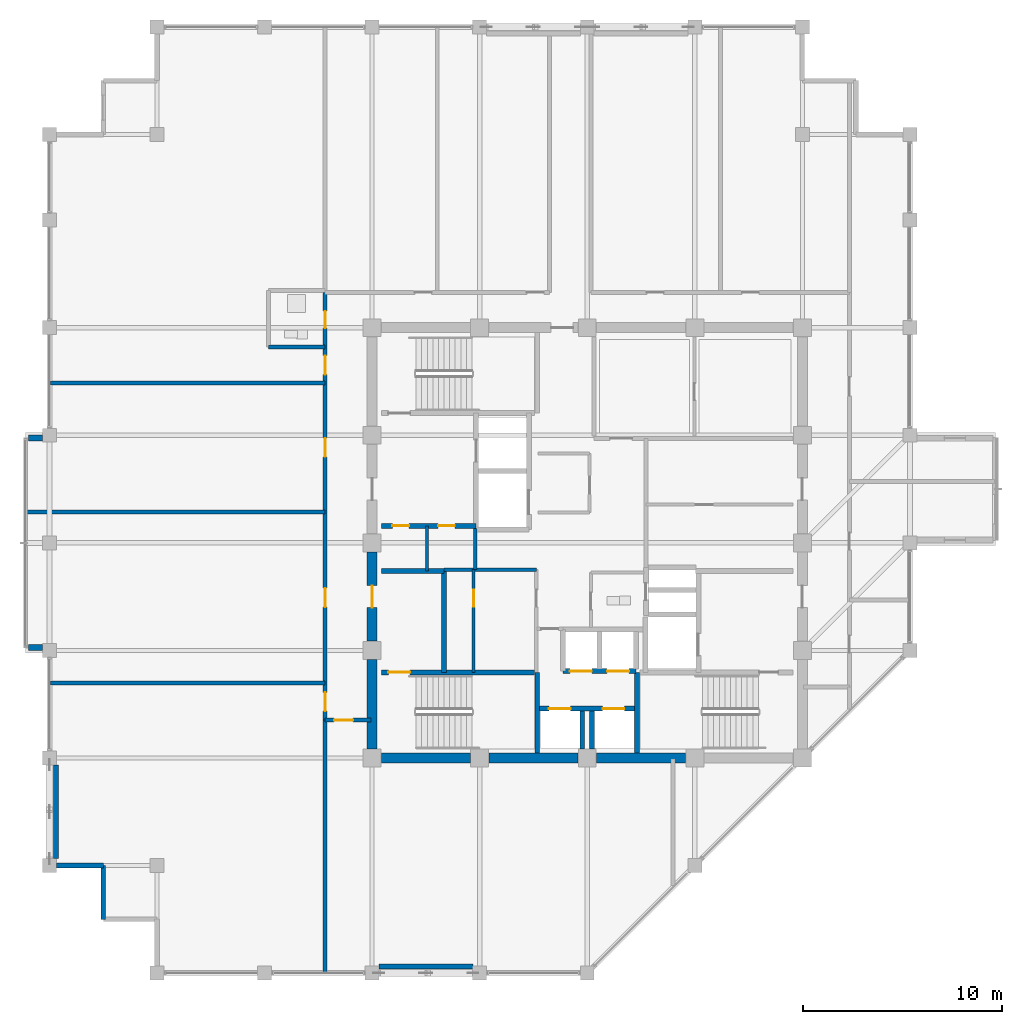
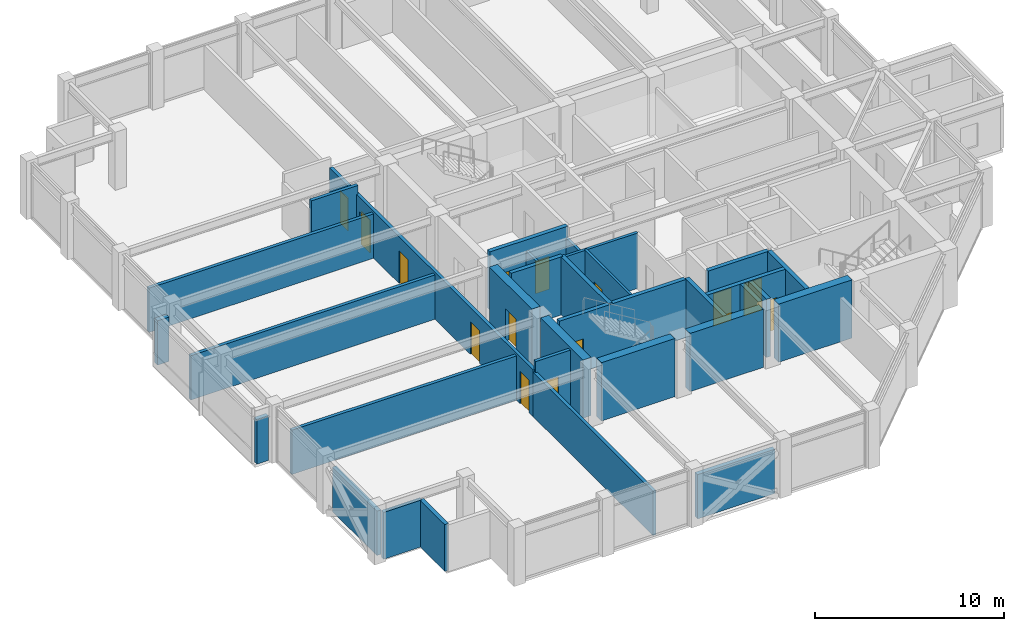
# One storey, part 26 of 32: 32 walls, 15 doors, 15 openings.
"""IFC4 building model written with IfcOpenShell, lengths in metres."""

from ifc_helpers import new_model, si_unit, direction, frame, frame_2d, origin, place, context, subcontext, project, spatial, rectangle, extrude, material, layer, layer_set, type_object, element, fill, save


model = new_model("IFC4")

# Units and contexts
model_context = context("Model", 3, precision=1e-05, world=origin(), true_north=direction((0.0, 1.0)))
body_context = subcontext(model_context, "Body", "Model", "MODEL_VIEW")
ifc_project = project(units=[si_unit("LENGTHUNIT", "METRE"), si_unit("AREAUNIT", "SQUARE_METRE"), si_unit("VOLUMEUNIT", "CUBIC_METRE"), si_unit("PLANEANGLEUNIT", "RADIAN"), si_unit("MASSUNIT", "GRAM", prefix="KILO")], contexts=[model_context])

# Site, building, storey
site_placement = place(None, origin())
site = spatial("IfcSite", under=ifc_project, at=site_placement, CompositionType="ELEMENT")
building_placement = place(site_placement, origin())
building = spatial("IfcBuilding", under=site, at=building_placement, Name="Surkhivell Harbour Commons", CompositionType="ELEMENT")
storey_placement = place(building_placement, frame((0.0, 0.0, 311.25)))
storey = spatial("IfcBuildingStorey", under=building, at=storey_placement, Name="L81", CompositionType="ELEMENT", Elevation=311.25)

# Walls
ifc_material_1 = material(Name="Concrete C50/60", Category="concrete")
ifc_layer_1 = layer(ifc_material_1, 0.5)
ifc_layer_set_1 = layer_set([ifc_layer_1], Name="Concrete C50/60")
wall_type_1 = type_object("IfcWallType", Name="WAL-CORE-500", PredefinedType="SHEAR", material=ifc_layer_set_1)
for number, where, z_axis, x_axis, name in (
    (1, (-10.340087890625, -10.800048828125, 0.0), (0.0, 0.0, 1.0), (1.0, 0.0, 0.0), "L81 Core Shear Wall South 1"),
    (2, (-10.800048828125, -10.340087890625, 0.0), (0.0, 0.0, 1.0), (0.0, 1.0, 0.0), "L81 Core Shear Wall West 1"),
    (3, (-4.93994140625, -10.800048828125, 0.0), (0.0, 0.0, 1.0), (1.0, 0.0, 0.0), "L81 Core Shear Wall South 2"),
):
    element("IfcWall", number, at=place(storey_placement, frame(where, z_axis=z_axis, x_axis=x_axis)), inside=storey, type_object=wall_type_1, Name=name, PredefinedType="SHEAR", context=body_context, shape_type="SweptSolid", body=[
        extrude(rectangle(XDim=4.47998046875, YDim=0.5, at=frame_2d((2.239990234375, 0.0))), origin(), (0.0, 0.0, 1.0), 3.75),
    ])

# Wall, opening, door
wall_1_placement = place(storey_placement, frame((-10.800048828125, -4.93994140625, 0.0), z_axis=(0.0, 0.0, 1.0), x_axis=(0.0, 1.0, 0.0)))
wall_1 = element("IfcWall", 4, at=wall_1_placement, inside=storey, type_object=wall_type_1, Name="L81 Core Shear Wall West 2", PredefinedType="SHEAR", context=body_context, shape_type="SweptSolid", body=[
    extrude(rectangle(XDim=4.47998046875, YDim=0.5, at=frame_2d((2.239990234375, 0.0))), origin(), (0.0, 0.0, 1.0), 3.75),
])
opening_1_placement = place(wall_1_placement, frame((1.68994140625, 0.0, 0.0)))
opening_1 = element("IfcOpeningElement", 5, at=opening_1_placement, cuts=wall_1, Name="Opening ID-2", PredefinedType="OPENING", context=body_context, shape_type="SweptSolid", body=[
    extrude(rectangle(XDim=1.10009765625, YDim=2.10009765625, at=frame_2d((0.550048828125, 1.050048828125))), frame((0.0, 0.260009765625, 0.0), z_axis=(0.0, -1.0, 0.0), x_axis=(1.0, 0.0, 0.0)), (0.0, 0.0, 1.0), 0.52001953125),
])
ifc_material_2 = material(Name="Hardwood-veneered fire-rated door leaf", Category="wood")
door_type_1 = type_object("IfcDoorType", Name="DOR-FD60-1100", OperationType="NOTDEFINED", PredefinedType="DOOR", material=ifc_material_2)
door_1_placement = place(opening_1_placement, origin())
door_1 = element("IfcDoor", 6, at=door_1_placement, inside=storey, type_object=door_type_1, Name="L81 Stair 3 Lobby Corridor Door", OperationType="SINGLE_SWING_LEFT", OverallHeight=2.10009765625, OverallWidth=1.10009765625, PredefinedType="DOOR", context=body_context, shape_type="SweptSolid", body=[
    extrude(rectangle(XDim=1.10009765625, YDim=2.10009765625, at=frame_2d((0.550048828125, 1.050048828125))), frame((0.0, 0.02490234375, 0.0), z_axis=(0.0, -1.0, 0.0), x_axis=(1.0, 0.0, 0.0)), (0.0, 0.0, 1.0), 0.050048828125),
])
fill(opening_1, door_1)

# Walls
wall_2_placement = place(storey_placement, frame((0.4599609375, -10.800048828125, 0.0), z_axis=(0.0, 0.0, 1.0), x_axis=(1.0, 0.0, 0.0)))
element("IfcWall", 7, at=wall_2_placement, inside=storey, type_object=wall_type_1, Name="L81 Core Shear Wall South 3", PredefinedType="SHEAR", context=body_context, shape_type="SweptSolid", body=[
    extrude(rectangle(XDim=4.47998046875, YDim=0.5, at=frame_2d((2.239990234375, 0.0))), origin(), (0.0, 0.0, 1.0), 3.75),
])
ifc_material_3 = material(Name="Flemish-bond kiln brick and precast concrete C45/55", Category="masonry")
ifc_layer_2 = layer(ifc_material_3, 0.300048828125)
ifc_layer_set_2 = layer_set([ifc_layer_2], Name="Flemish-bond kiln brick and precast concrete C45/55")
wall_type_2 = type_object("IfcWallType", Name="WAL-EXT-BRK300", PredefinedType="STANDARD", material=ifc_layer_set_2)
for number, where, z_axis, x_axis, name in (
    (8, (-28.06005859375, -5.260009765625, 0.0), (0.0, 0.0, 1.0), (1.0, 0.0, 0.0), "L81 Coloured Box Return Wall 02S"),
    (9, (-28.06005859375, 5.260009765625, 0.0), (0.0, 0.0, 1.0), (1.0, 0.0, 0.0), "L81 Coloured Box Return Wall 02N"),
):
    element("IfcWall", number, at=place(storey_placement, frame(where, z_axis=z_axis, x_axis=x_axis)), inside=storey, type_object=wall_type_2, Name=name, PredefinedType="STANDARD", context=body_context, shape_type="SweptSolid", body=[
        extrude(rectangle(XDim=0.7060546875, YDim=0.300048828125, at=frame_2d((0.35302734375, 0.0))), origin(), (0.0, 0.0, 1.0), 2.85693359375),
    ])
ifc_material_4 = material(Name="Pale-metal insulated precast concrete C45/55", Category="concrete")
ifc_layer_3 = layer(ifc_material_4, 0.260009765625)
ifc_layer_set_3 = layer_set([ifc_layer_3], Name="Pale-metal insulated precast concrete C45/55")
wall_type_3 = type_object("IfcWallType", Name="WAL-EXT-MTL260", PredefinedType="STANDARD", material=ifc_layer_set_3)
wall_3_placement = place(storey_placement, frame((-10.451904296875, -21.264892578125, 0.0), z_axis=(0.0, 0.0, 1.0), x_axis=(1.0, 0.0, 0.0)))
element("IfcWall", 10, at=wall_3_placement, inside=storey, type_object=wall_type_3, Name="L81 Braced-Bay Insulated Spandrel Backing S", PredefinedType="STANDARD", context=body_context, shape_type="SweptSolid", body=[
    extrude(rectangle(XDim=4.703857421875, YDim=0.260009765625, at=frame_2d((2.35205078125, 0.0))), origin(), (0.0, 0.0, 1.0), 2.85693359375),
])
wall_4_placement = place(storey_placement, frame((-26.6650390625, -15.85205078125, 0.0), z_axis=(0.0, 0.0, 1.0), x_axis=(0.0, 1.0, 0.0)))
element("IfcWall", 11, at=wall_4_placement, inside=storey, type_object=wall_type_3, Name="L81 Braced-Bay Insulated Spandrel Backing W", PredefinedType="STANDARD", context=body_context, shape_type="SweptSolid", body=[
    extrude(rectangle(XDim=4.7041015625, YDim=0.260009765625, at=frame_2d((2.35205078125, 0.0))), origin(), (0.0, 0.0, 1.0), 2.85693359375),
])
ifc_material_5 = material(Name="Bronze-ochre cassette precast concrete C45/55", Category="concrete")
ifc_layer_4 = layer(ifc_material_5, 0.239990234375)
ifc_layer_set_4 = layer_set([ifc_layer_4], Name="Bronze-ochre cassette precast concrete C45/55")
wall_type_4 = type_object("IfcWallType", Name="WAL-EXT-OCH240", PredefinedType="STANDARD", material=ifc_layer_set_4)
wall_5_placement = place(storey_placement, frame((-26.652099609375, -16.199951171875, 0.0), z_axis=(0.0, 0.0, 1.0), x_axis=(1.0, 0.0, 0.0)))
element("IfcWall", 12, at=wall_5_placement, inside=storey, type_object=wall_type_4, Name="L81 Serrated Corner Facade Wall 13", PredefinedType="STANDARD", context=body_context, shape_type="SweptSolid", body=[
    extrude(rectangle(XDim=2.35205078125, YDim=0.239990234375, at=frame_2d((1.176025390625, 0.0))), origin(), (0.0, 0.0, 1.0), 3.012939453125),
])
wall_6_placement = place(storey_placement, frame((-24.300048828125, -16.199951171875, 0.0), z_axis=(0.0, 0.0, 1.0), x_axis=(0.0, -1.0, 0.0)))
element("IfcWall", 13, at=wall_6_placement, inside=storey, type_object=wall_type_4, Name="L81 Serrated Corner Facade Wall 14", PredefinedType="STANDARD", context=body_context, shape_type="SweptSolid", body=[
    extrude(rectangle(XDim=2.699951171875, YDim=0.239990234375, at=frame_2d((1.35009765625, 0.0))), origin(), (0.0, 0.0, 1.0), 3.012939453125),
])

# Wall, opening, door
ifc_material_6 = material(Name="Twin-stud acoustic fireboard partition", Category="other")
ifc_layer_5 = layer(ifc_material_6, 0.14990234375)
ifc_layer_set_5 = layer_set([ifc_layer_5], Name="Twin-stud acoustic fireboard partition")
wall_type_5 = type_object("IfcWallType", Name="WAL-INT-150", PredefinedType="PARTITIONING", material=ifc_layer_set_5)
wall_7_placement = place(storey_placement, frame((-5.699951171875, -6.510009765625, 0.0), z_axis=(0.0, 0.0, 1.0), x_axis=(0.0, 1.0, 0.0)))
wall_7 = element("IfcWall", 14, at=wall_7_placement, inside=storey, type_object=wall_type_5, Name="L81 Core Cut B Partition", PredefinedType="PARTITIONING", context=body_context, shape_type="SweptSolid", body=[
    extrude(rectangle(XDim=5.159912109375, YDim=0.14990234375, at=frame_2d((2.580078125, 0.0))), origin(), (0.0, 0.0, 1.0), 3.570068359375),
])
opening_2_placement = place(wall_7_placement, frame((3.300048828125, 0.0, 0.0)))
opening_2 = element("IfcOpeningElement", 15, at=opening_2_placement, cuts=wall_7, Name="Opening ID-6", PredefinedType="OPENING", context=body_context, shape_type="SweptSolid", body=[
    extrude(rectangle(XDim=0.85009765625, YDim=2.10009765625, at=frame_2d((0.425048828125, 1.050048828125))), frame((0.0, 0.0849609375, 0.0), z_axis=(0.0, -1.0, 0.0), x_axis=(1.0, 0.0, 0.0)), (0.0, 0.0, 1.0), 0.169921875),
])
door_type_2 = type_object("IfcDoorType", Name="DOR-FD30-850", OperationType="NOTDEFINED", PredefinedType="DOOR", material=ifc_material_2)
door_2_placement = place(opening_2_placement, origin())
door_2 = element("IfcDoor", 16, at=door_2_placement, inside=storey, type_object=door_type_2, Name="L81 Core Focus Study Door", OperationType="SINGLE_SWING_RIGHT", OverallHeight=2.10009765625, OverallWidth=0.85009765625, PredefinedType="DOOR", context=body_context, shape_type="SweptSolid", body=[
    extrude(rectangle(XDim=0.85009765625, YDim=2.10009765625, at=frame_2d((0.425048828125, 1.050048828125))), frame((0.0, 0.02490234375, 0.0), z_axis=(0.0, -1.0, 0.0), x_axis=(1.0, 0.0, 0.0)), (0.0, 0.0, 1.0), 0.050048828125),
])
fill(opening_2, door_2)

# Walls
wall_8_placement = place(storey_placement, frame((-8.050048828125, -1.419921875, 0.0), z_axis=(0.0, 0.0, 1.0), x_axis=(0.0, 1.0, 0.0)))
element("IfcWall", 17, at=wall_8_placement, inside=storey, type_object=wall_type_5, Name="L81 West Seminar Booth Divider", PredefinedType="PARTITIONING", context=body_context, shape_type="SweptSolid", body=[
    extrude(rectangle(XDim=2.27001953125, YDim=0.14990234375, at=frame_2d((1.135009765625, 0.0))), origin(), (0.0, 0.0, 1.0), 3.012939453125),
])
ifc_material_7 = material(Name="High-density acoustic blockwork fire partition", Category="masonry")
ifc_layer_6 = layer(ifc_material_7, 0.175048828125)
ifc_layer_set_6 = layer_set([ifc_layer_6], Name="High-density acoustic blockwork fire partition")
wall_type_6 = type_object("IfcWallType", Name="WAL-INT-175", PredefinedType="PARTITIONING", material=ifc_layer_set_6)
wall_9_placement = place(storey_placement, frame((-7.179931640625, -1.35009765625, 0.0), z_axis=(0.0, 0.0, 1.0), x_axis=(1.0, 0.0, 0.0)))
element("IfcWall", 18, at=wall_9_placement, inside=storey, type_object=wall_type_6, Name="L81 Core Service Bay North Wall", PredefinedType="PARTITIONING", context=body_context, shape_type="SweptSolid", body=[
    extrude(rectangle(XDim=4.6298828125, YDim=0.175048828125, at=frame_2d((2.31494140625, 0.0))), origin(), (0.0, 0.0, 1.0), 3.570068359375),
])
wall_10_placement = place(storey_placement, frame((-5.6201171875, -1.35009765625, 0.0), z_axis=(0.0, 0.0, 1.0), x_axis=(0.0, 1.0, 0.0)))
element("IfcWall", 19, at=wall_10_placement, inside=storey, type_object=wall_type_6, Name="L81 West Core Bay East Wall", PredefinedType="PARTITIONING", context=body_context, shape_type="SweptSolid", body=[
    extrude(rectangle(XDim=2.070068359375, YDim=0.175048828125, at=frame_2d((1.03515625, 0.0))), origin(), (0.0, 0.0, 1.0), 3.012939453125),
])
ifc_material_8 = material(Name="Autoclaved aerated concrete blockwork and fire plaster", Category="masonry")
ifc_layer_7 = layer(ifc_material_8, 0.199951171875)
ifc_layer_set_7 = layer_set([ifc_layer_7], Name="Autoclaved aerated concrete blockwork and fire plaster")
wall_type_7 = type_object("IfcWallType", Name="WAL-INT-200", PredefinedType="PARTITIONING", material=ifc_layer_set_7)
wall_11_placement = place(storey_placement, frame((-13.159912109375, -21.5400390625, 0.0), z_axis=(0.0, 0.0, 1.0), x_axis=(0.0, 1.0, 0.0)))
element("IfcWall", 20, at=wall_11_placement, inside=storey, type_object=wall_type_7, Name="L81 South Hall West Divider", PredefinedType="PARTITIONING", context=body_context, shape_type="SweptSolid", body=[
    extrude(rectangle(XDim=12.64013671875, YDim=0.199951171875, at=frame_2d((6.320068359375, 0.0))), origin(), (0.0, 0.0, 1.0), 2.85693359375),
])

# Wall, openings, doors
wall_12_placement = place(storey_placement, frame((-13.159912109375, -8.89990234375, 0.0), z_axis=(0.0, 0.0, 1.0), x_axis=(0.0, 1.0, 0.0)))
wall_12 = element("IfcWall", 21, at=wall_12_placement, inside=storey, type_object=wall_type_7, Name="L81 West Corridor Wall", PredefinedType="PARTITIONING", context=body_context, shape_type="SweptSolid", body=[
    extrude(rectangle(XDim=21.47998046875, YDim=0.199951171875, at=frame_2d((10.739990234375, 0.0))), origin(), (0.0, 0.0, 1.0), 3.012939453125),
])
opening_3_placement = place(wall_12_placement, frame((0.445068359375, 0.0, 0.0)))
opening_3 = element("IfcOpeningElement", 22, at=opening_3_placement, cuts=wall_12, Name="Opening ID-4", PredefinedType="OPENING", context=body_context, shape_type="SweptSolid", body=[
    extrude(rectangle(XDim=0.949951171875, YDim=2.10009765625, at=frame_2d((0.47509765625, 1.050048828125))), frame((0.0, 0.10986328125, 0.0), z_axis=(0.0, -1.0, 0.0), x_axis=(1.0, 0.0, 0.0)), (0.0, 0.0, 1.0), 0.219970703125),
])
opening_4_placement = place(wall_12_placement, frame((19.68505859375, 0.0, 0.0)))
opening_4 = element("IfcOpeningElement", 23, at=opening_4_placement, cuts=wall_12, Name="Opening ID-6", PredefinedType="OPENING", context=body_context, shape_type="SweptSolid", body=[
    extrude(rectangle(XDim=0.85009765625, YDim=2.10009765625, at=frame_2d((0.425048828125, 1.050048828125))), frame((0.0, 0.10986328125, 0.0), z_axis=(0.0, -1.0, 0.0), x_axis=(1.0, 0.0, 0.0)), (0.0, 0.0, 1.0), 0.219970703125),
])
opening_5_placement = place(wall_12_placement, frame((17.35009765625, 0.0, 0.0)))
opening_5 = element("IfcOpeningElement", 24, at=opening_5_placement, cuts=wall_12, Name="Opening ID-4", PredefinedType="OPENING", context=body_context, shape_type="SweptSolid", body=[
    extrude(rectangle(XDim=0.949951171875, YDim=2.10009765625, at=frame_2d((0.47509765625, 1.050048828125))), frame((0.0, 0.10986328125, 0.0), z_axis=(0.0, -1.0, 0.0), x_axis=(1.0, 0.0, 0.0)), (0.0, 0.0, 1.0), 0.219970703125),
])
opening_6_placement = place(wall_12_placement, frame((5.669921875, 0.0, 0.0)))
opening_6 = element("IfcOpeningElement", 25, at=opening_6_placement, cuts=wall_12, Name="Opening ID-4", PredefinedType="OPENING", context=body_context, shape_type="SweptSolid", body=[
    extrude(rectangle(XDim=0.949951171875, YDim=2.10009765625, at=frame_2d((0.47509765625, 1.050048828125))), frame((0.0, 0.10986328125, 0.0), z_axis=(0.0, -1.0, 0.0), x_axis=(1.0, 0.0, 0.0)), (0.0, 0.0, 1.0), 0.219970703125),
])
opening_7_placement = place(wall_12_placement, frame((13.2099609375, 0.0, 0.0)))
opening_7 = element("IfcOpeningElement", 26, at=opening_7_placement, cuts=wall_12, Name="Opening ID-4", PredefinedType="OPENING", context=body_context, shape_type="SweptSolid", body=[
    extrude(rectangle(XDim=0.949951171875, YDim=2.10009765625, at=frame_2d((0.47509765625, 1.050048828125))), frame((0.0, 0.10986328125, 0.0), z_axis=(0.0, -1.0, 0.0), x_axis=(1.0, 0.0, 0.0)), (0.0, 0.0, 1.0), 0.219970703125),
])
door_3_placement = place(opening_4_placement, origin())
door_3 = element("IfcDoor", 27, at=door_3_placement, inside=storey, type_object=door_type_2, Name="L81 Communal Shower Bathroom West Door", OperationType="SINGLE_SWING_RIGHT", OverallHeight=2.10009765625, OverallWidth=0.85009765625, PredefinedType="DOOR", context=body_context, shape_type="SweptSolid", body=[
    extrude(rectangle(XDim=0.85009765625, YDim=2.10009765625, at=frame_2d((0.425048828125, 1.050048828125))), frame((0.0, 0.02490234375, 0.0), z_axis=(0.0, -1.0, 0.0), x_axis=(1.0, 0.0, 0.0)), (0.0, 0.0, 1.0), 0.050048828125),
])
fill(opening_4, door_3)
door_type_3 = type_object("IfcDoorType", Name="DOR-FD60-950", OperationType="NOTDEFINED", PredefinedType="DOOR", material=ifc_material_2)
door_4_placement = place(opening_3_placement, origin())
door_4 = element("IfcDoor", 28, at=door_4_placement, inside=storey, type_object=door_type_3, Name="L81 Shared Communal Kitchen West Door", OperationType="SINGLE_SWING_LEFT", OverallHeight=2.10009765625, OverallWidth=0.949951171875, PredefinedType="DOOR", context=body_context, shape_type="SweptSolid", body=[
    extrude(rectangle(XDim=0.949951171875, YDim=2.10009765625, at=frame_2d((0.47509765625, 1.050048828125))), frame((0.0, 0.02490234375, 0.0), z_axis=(0.0, -1.0, 0.0), x_axis=(1.0, 0.0, 0.0)), (0.0, 0.0, 1.0), 0.050048828125),
])
fill(opening_3, door_4)
door_5_placement = place(opening_5_placement, origin())
door_5 = element("IfcDoor", 29, at=door_5_placement, inside=storey, type_object=door_type_3, Name="L81 Academic Reading Commons West Door", OperationType="SINGLE_SWING_LEFT", OverallHeight=2.10009765625, OverallWidth=0.949951171875, PredefinedType="DOOR", context=body_context, shape_type="SweptSolid", body=[
    extrude(rectangle(XDim=0.949951171875, YDim=2.10009765625, at=frame_2d((0.47509765625, 1.050048828125))), frame((0.0, 0.02490234375, 0.0), z_axis=(0.0, -1.0, 0.0), x_axis=(1.0, 0.0, 0.0)), (0.0, 0.0, 1.0), 0.050048828125),
])
fill(opening_5, door_5)
door_6_placement = place(opening_6_placement, origin())
door_6 = element("IfcDoor", 30, at=door_6_placement, inside=storey, type_object=door_type_3, Name="L81 Hostel Cluster Bedroom 1 West Door", OperationType="SINGLE_SWING_RIGHT", OverallHeight=2.10009765625, OverallWidth=0.949951171875, PredefinedType="DOOR", context=body_context, shape_type="SweptSolid", body=[
    extrude(rectangle(XDim=0.949951171875, YDim=2.10009765625, at=frame_2d((0.47509765625, 1.050048828125))), frame((0.0, 0.02490234375, 0.0), z_axis=(0.0, -1.0, 0.0), x_axis=(1.0, 0.0, 0.0)), (0.0, 0.0, 1.0), 0.050048828125),
])
fill(opening_6, door_6)
door_7_placement = place(opening_7_placement, origin())
door_7 = element("IfcDoor", 31, at=door_7_placement, inside=storey, type_object=door_type_3, Name="L81 Co-Living Dormitory Bedroom 2 West Door", OperationType="SINGLE_SWING_LEFT", OverallHeight=2.10009765625, OverallWidth=0.949951171875, PredefinedType="DOOR", context=body_context, shape_type="SweptSolid", body=[
    extrude(rectangle(XDim=0.949951171875, YDim=2.10009765625, at=frame_2d((0.47509765625, 1.050048828125))), frame((0.0, 0.02490234375, 0.0), z_axis=(0.0, -1.0, 0.0), x_axis=(1.0, 0.0, 0.0)), (0.0, 0.0, 1.0), 0.050048828125),
])
fill(opening_7, door_7)

# Wall, opening, door
wall_13_placement = place(storey_placement, frame((-13.159912109375, -8.89990234375, 0.0), z_axis=(0.0, 0.0, 1.0), x_axis=(1.0, 0.0, 0.0)))
wall_13 = element("IfcWall", 32, at=wall_13_placement, inside=storey, type_object=wall_type_7, Name="L81 West Corridor South Portal Wall", PredefinedType="PARTITIONING", context=body_context, shape_type="SweptSolid", body=[
    extrude(rectangle(XDim=2.309814453125, YDim=0.199951171875, at=frame_2d((1.15478515625, 0.0))), origin(), (0.0, 0.0, 1.0), 3.570068359375),
])
opening_8_placement = place(wall_13_placement, frame((0.449951171875, 0.0, 0.0)))
opening_8 = element("IfcOpeningElement", 33, at=opening_8_placement, cuts=wall_13, Name="Opening ID-4", PredefinedType="OPENING", context=body_context, shape_type="SweptSolid", body=[
    extrude(rectangle(XDim=0.949951171875, YDim=2.10009765625, at=frame_2d((0.47509765625, 1.050048828125))), frame((0.0, 0.10986328125, 0.0), z_axis=(0.0, -1.0, 0.0), x_axis=(1.0, 0.0, 0.0)), (0.0, 0.0, 1.0), 0.219970703125),
])
door_8_placement = place(opening_8_placement, origin())
door_8 = element("IfcDoor", 34, at=door_8_placement, inside=storey, type_object=door_type_3, Name="L81 South Reading Door", OperationType="SINGLE_SWING_RIGHT", OverallHeight=2.10009765625, OverallWidth=0.949951171875, PredefinedType="DOOR", context=body_context, shape_type="SweptSolid", body=[
    extrude(rectangle(XDim=0.949951171875, YDim=2.10009765625, at=frame_2d((0.47509765625, 1.050048828125))), frame((0.0, 0.02490234375, 0.0), z_axis=(0.0, -1.0, 0.0), x_axis=(1.0, 0.0, 0.0)), (0.0, 0.0, 1.0), 0.050048828125),
])
fill(opening_8, door_8)

# Walls
wall_14_placement = place(storey_placement, frame((-28.139892578125, 1.550048828125, 0.0), z_axis=(0.0, 0.0, 1.0), x_axis=(1.0, 0.0, 0.0)))
element("IfcWall", 35, at=wall_14_placement, inside=storey, type_object=wall_type_7, Name="L81 West Partition BDP1", PredefinedType="PARTITIONING", context=body_context, shape_type="SweptSolid", body=[
    extrude(rectangle(XDim=14.97998046875, YDim=0.199951171875, at=frame_2d((7.489990234375, 0.0))), origin(), (0.0, 0.0, 1.0), 2.85693359375),
])
wall_15_placement = place(storey_placement, frame((-16.010009765625, 9.830078125, 0.0), z_axis=(0.0, 0.0, 1.0), x_axis=(1.0, 0.0, 0.0)))
element("IfcWall", 36, at=wall_15_placement, inside=storey, type_object=wall_type_7, Name="L81 West Partition BTHS", PredefinedType="PARTITIONING", context=body_context, shape_type="SweptSolid", body=[
    extrude(rectangle(XDim=2.85009765625, YDim=0.199951171875, at=frame_2d((1.425048828125, 0.0))), origin(), (0.0, 0.0, 1.0), 3.570068359375),
])
for number, where, z_axis, x_axis, name in (
    (37, (-26.93994140625, -7.050048828125, 0.0), (0.0, 0.0, 1.0), (1.0, 0.0, 0.0), "L81 West Partition PBOT"),
    (38, (-26.93994140625, 8.030029296875, 0.0), (0.0, 0.0, 1.0), (1.0, 0.0, 0.0), "L81 West Partition PTOP"),
):
    element("IfcWall", number, at=place(storey_placement, frame(where, z_axis=z_axis, x_axis=x_axis)), inside=storey, type_object=wall_type_7, Name=name, PredefinedType="PARTITIONING", context=body_context, shape_type="SweptSolid", body=[
        extrude(rectangle(XDim=13.780029296875, YDim=0.199951171875, at=frame_2d((6.89013671875, 0.0))), origin(), (0.0, 0.0, 1.0), 2.85693359375),
    ])

# Wall, openings, doors
ifc_layer_8 = layer(ifc_material_1, 0.25)
ifc_layer_set_8 = layer_set([ifc_layer_8], Name="Concrete C50/60")
wall_type_8 = type_object("IfcWallType", Name="WAL-SHAFT-250", PredefinedType="SHEAR", material=ifc_layer_set_8)
wall_16_placement = place(storey_placement, frame((-10.340087890625, 0.85009765625, 0.0), z_axis=(0.0, 0.0, 1.0), x_axis=(1.0, 0.0, 0.0)))
wall_16 = element("IfcWall", 39, at=wall_16_placement, inside=storey, type_object=wall_type_8, Name="L81 Firefighting Lobby 1 South Wall", PredefinedType="SHEAR", context=body_context, shape_type="SweptSolid", body=[
    extrude(rectangle(XDim=4.760009765625, YDim=0.25, at=frame_2d((2.3798828125, 0.0))), origin(), (0.0, 0.0, 1.0), 3.75),
])
opening_9_placement = place(wall_16_placement, frame((0.550048828125, 0.0, 0.0)))
opening_9 = element("IfcOpeningElement", 40, at=opening_9_placement, cuts=wall_16, Name="Opening ID-6", PredefinedType="OPENING", context=body_context, shape_type="SweptSolid", body=[
    extrude(rectangle(XDim=0.85009765625, YDim=2.10009765625, at=frame_2d((0.425048828125, 1.050048828125))), frame((0.0, 0.135009765625, 0.0), z_axis=(0.0, -1.0, 0.0), x_axis=(1.0, 0.0, 0.0)), (0.0, 0.0, 1.0), 0.27001953125),
])
opening_10_placement = place(wall_16_placement, frame((2.85009765625, 0.0, 0.0)))
opening_10 = element("IfcOpeningElement", 41, at=opening_10_placement, cuts=wall_16, Name="Opening ID-6", PredefinedType="OPENING", context=body_context, shape_type="SweptSolid", body=[
    extrude(rectangle(XDim=0.85009765625, YDim=2.10009765625, at=frame_2d((0.425048828125, 1.050048828125))), frame((0.0, 0.135009765625, 0.0), z_axis=(0.0, -1.0, 0.0), x_axis=(1.0, 0.0, 0.0)), (0.0, 0.0, 1.0), 0.27001953125),
])
door_9_placement = place(opening_9_placement, origin())
door_9 = element("IfcDoor", 42, at=door_9_placement, inside=storey, type_object=door_type_2, Name="L81 West Seminar 1 Door", OperationType="SINGLE_SWING_LEFT", OverallHeight=2.10009765625, OverallWidth=0.85009765625, PredefinedType="DOOR", context=body_context, shape_type="SweptSolid", body=[
    extrude(rectangle(XDim=0.85009765625, YDim=2.10009765625, at=frame_2d((0.425048828125, 1.050048828125))), frame((0.0, 0.02490234375, 0.0), z_axis=(0.0, -1.0, 0.0), x_axis=(1.0, 0.0, 0.0)), (0.0, 0.0, 1.0), 0.050048828125),
])
fill(opening_9, door_9)
door_10_placement = place(opening_10_placement, origin())
door_10 = element("IfcDoor", 43, at=door_10_placement, inside=storey, type_object=door_type_2, Name="L81 West Seminar 2 Door", OperationType="SINGLE_SWING_RIGHT", OverallHeight=2.10009765625, OverallWidth=0.85009765625, PredefinedType="DOOR", context=body_context, shape_type="SweptSolid", body=[
    extrude(rectangle(XDim=0.85009765625, YDim=2.10009765625, at=frame_2d((0.425048828125, 1.050048828125))), frame((0.0, 0.02490234375, 0.0), z_axis=(0.0, -1.0, 0.0), x_axis=(1.0, 0.0, 0.0)), (0.0, 0.0, 1.0), 0.050048828125),
])
fill(opening_10, door_10)

# Walls
for number, where, z_axis, x_axis, name in (
    (44, (-0.25, -10.35009765625, 0.0), (0.0, 0.0, 1.0), (0.0, 1.0, 0.0), "L81 High-Rise Side Wall S"),
    (45, (0.25, -10.35009765625, 0.0), (0.0, 0.0, 1.0), (0.0, 1.0, 0.0), "L81 High-Rise Side Wall S"),
):
    element("IfcWall", number, at=place(storey_placement, frame(where, z_axis=z_axis, x_axis=x_axis)), inside=storey, type_object=wall_type_8, Name=name, PredefinedType="SHEAR", context=body_context, shape_type="SweptSolid", body=[
        extrude(rectangle(XDim=1.91015625, YDim=0.25, at=frame_2d((0.955078125, 0.0))), origin(), (0.0, 0.0, 1.0), 3.75),
    ])

# Wall, openings, doors
wall_17_placement = place(storey_placement, frame((-1.219970703125, -6.43994140625, 0.0), z_axis=(0.0, 0.0, 1.0), x_axis=(1.0, 0.0, 0.0)))
wall_17 = element("IfcWall", 46, at=wall_17_placement, inside=storey, type_object=wall_type_8, Name="L81 High-Rise North Front Shaft Wall", PredefinedType="SHEAR", context=body_context, shape_type="SweptSolid", body=[
    extrude(rectangle(XDim=3.669921875, YDim=0.25, at=frame_2d((1.8349609375, 0.0))), origin(), (0.0, 0.0, 1.0), 3.75),
])
opening_11_placement = place(wall_17_placement, frame((0.35009765625, 0.0, 0.0)))
opening_11 = element("IfcOpeningElement", 47, at=opening_11_placement, cuts=wall_17, Name="Opening LD-1", PredefinedType="OPENING", context=body_context, shape_type="SweptSolid", body=[
    extrude(rectangle(XDim=1.10009765625, YDim=2.10009765625, at=frame_2d((0.550048828125, 1.050048828125))), frame((0.0, 0.135009765625, 0.0), z_axis=(0.0, -1.0, 0.0), x_axis=(1.0, 0.0, 0.0)), (0.0, 0.0, 1.0), 0.27001953125),
])
opening_12_placement = place(wall_17_placement, frame((2.219970703125, 0.0, 0.0)))
opening_12 = element("IfcOpeningElement", 48, at=opening_12_placement, cuts=wall_17, Name="Opening LD-1", PredefinedType="OPENING", context=body_context, shape_type="SweptSolid", body=[
    extrude(rectangle(XDim=1.10009765625, YDim=2.10009765625, at=frame_2d((0.550048828125, 1.050048828125))), frame((0.0, 0.135009765625, 0.0), z_axis=(0.0, -1.0, 0.0), x_axis=(1.0, 0.0, 0.0)), (0.0, 0.0, 1.0), 0.27001953125),
])
ifc_material_9 = material(Name="Brushed stainless steel S355", Category="steel")
door_type_4 = type_object("IfcDoorType", Name="DOR-LD-1100", OperationType="SLIDING_TO_LEFT", PredefinedType="DOOR", material=ifc_material_9)
door_11_placement = place(opening_11_placement, origin())
door_11 = element("IfcDoor", 49, at=door_11_placement, inside=storey, type_object=door_type_4, Name="L81 Lift Landing Door LD-PH1", OperationType="SLIDING_TO_LEFT", OverallHeight=2.10009765625, OverallWidth=1.10009765625, PredefinedType="DOOR", context=body_context, shape_type="SweptSolid", body=[
    extrude(rectangle(XDim=1.10009765625, YDim=2.10009765625, at=frame_2d((0.550048828125, 1.050048828125))), frame((0.0, 0.02490234375, 0.0), z_axis=(0.0, -1.0, 0.0), x_axis=(1.0, 0.0, 0.0)), (0.0, 0.0, 1.0), 0.050048828125),
])
fill(opening_11, door_11)
door_12_placement = place(opening_12_placement, origin())
door_12 = element("IfcDoor", 50, at=door_12_placement, inside=storey, type_object=door_type_4, Name="L81 Lift Landing Door LD-PH2", OperationType="SLIDING_TO_LEFT", OverallHeight=2.10009765625, OverallWidth=1.10009765625, PredefinedType="DOOR", context=body_context, shape_type="SweptSolid", body=[
    extrude(rectangle(XDim=1.10009765625, YDim=2.10009765625, at=frame_2d((0.550048828125, 1.050048828125))), frame((0.0, 0.02490234375, 0.0), z_axis=(0.0, -1.0, 0.0), x_axis=(1.0, 0.0, 0.0)), (0.0, 0.0, 1.0), 0.050048828125),
])
fill(opening_12, door_12)

wall_18_placement = place(storey_placement, frame((-2.47998046875, -8.320068359375, 0.0), z_axis=(0.0, 0.0, 1.0), x_axis=(1.0, 0.0, 0.0)))
wall_18 = element("IfcWall", 51, at=wall_18_placement, inside=storey, type_object=wall_type_8, Name="L81 High-Rise South Front Shaft Wall", PredefinedType="SHEAR", context=body_context, shape_type="SweptSolid", body=[
    extrude(rectangle(XDim=4.929931640625, YDim=0.25, at=frame_2d((2.46484375, 0.0))), origin(), (0.0, 0.0, 1.0), 3.75),
])
opening_13_placement = place(wall_18_placement, frame((0.550048828125, 0.0, 0.0)))
opening_13 = element("IfcOpeningElement", 52, at=opening_13_placement, cuts=wall_18, Name="Opening LD-1", PredefinedType="OPENING", context=body_context, shape_type="SweptSolid", body=[
    extrude(rectangle(XDim=1.10009765625, YDim=2.10009765625, at=frame_2d((0.550048828125, 1.050048828125))), frame((0.0, 0.135009765625, 0.0), z_axis=(0.0, -1.0, 0.0), x_axis=(1.0, 0.0, 0.0)), (0.0, 0.0, 1.0), 0.27001953125),
])
opening_14_placement = place(wall_18_placement, frame((3.25, 0.0, 0.0)))
opening_14 = element("IfcOpeningElement", 53, at=opening_14_placement, cuts=wall_18, Name="Opening LD-1", PredefinedType="OPENING", context=body_context, shape_type="SweptSolid", body=[
    extrude(rectangle(XDim=1.10009765625, YDim=2.10009765625, at=frame_2d((0.550048828125, 1.050048828125))), frame((0.0, 0.135009765625, 0.0), z_axis=(0.0, -1.0, 0.0), x_axis=(1.0, 0.0, 0.0)), (0.0, 0.0, 1.0), 0.27001953125),
])
door_13_placement = place(opening_13_placement, origin())
door_13 = element("IfcDoor", 54, at=door_13_placement, inside=storey, type_object=door_type_4, Name="L81 Lift Landing Door LD-PH3", OperationType="SLIDING_TO_LEFT", OverallHeight=2.10009765625, OverallWidth=1.10009765625, PredefinedType="DOOR", context=body_context, shape_type="SweptSolid", body=[
    extrude(rectangle(XDim=1.10009765625, YDim=2.10009765625, at=frame_2d((0.550048828125, 1.050048828125))), frame((0.0, 0.02490234375, 0.0), z_axis=(0.0, -1.0, 0.0), x_axis=(1.0, 0.0, 0.0)), (0.0, 0.0, 1.0), 0.050048828125),
])
fill(opening_13, door_13)
door_14_placement = place(opening_14_placement, origin())
door_14 = element("IfcDoor", 55, at=door_14_placement, inside=storey, type_object=door_type_4, Name="L81 Lift Landing Door LD-PH4", OperationType="SLIDING_TO_LEFT", OverallHeight=2.10009765625, OverallWidth=1.10009765625, PredefinedType="DOOR", context=body_context, shape_type="SweptSolid", body=[
    extrude(rectangle(XDim=1.10009765625, YDim=2.10009765625, at=frame_2d((0.550048828125, 1.050048828125))), frame((0.0, 0.02490234375, 0.0), z_axis=(0.0, -1.0, 0.0), x_axis=(1.0, 0.0, 0.0)), (0.0, 0.0, 1.0), 0.050048828125),
])
fill(opening_14, door_14)

# Walls
for number, where, z_axis, x_axis, name in (
    (56, (2.510009765625, -10.550048828125, 0.0), (0.0, 0.0, 1.0), (0.0, 1.0, 0.0), "L81 Stair ST2 West Shear Wall"),
    (57, (-2.510009765625, -10.550048828125, 0.0), (0.0, 0.0, 1.0), (0.0, 1.0, 0.0), "L81 Stair ST3 East Shear Wall"),
):
    element("IfcWall", number, at=place(storey_placement, frame(where, z_axis=z_axis, x_axis=x_axis)), inside=storey, type_object=wall_type_8, Name=name, PredefinedType="SHEAR", context=body_context, shape_type="SweptSolid", body=[
        extrude(rectangle(XDim=4.0400390625, YDim=0.25, at=frame_2d((2.02001953125, 0.0))), origin(), (0.0, 0.0, 1.0), 3.75),
    ])
wall_19_placement = place(storey_placement, frame((-7.179931640625, -6.510009765625, 0.0), z_axis=(0.0, 0.0, 1.0), x_axis=(0.0, 1.0, 0.0)))
element("IfcWall", 58, at=wall_19_placement, inside=storey, type_object=wall_type_8, Name="L81 Stair 3 Lobby East Wall", PredefinedType="SHEAR", context=body_context, shape_type="SweptSolid", body=[
    extrude(rectangle(XDim=5.090087890625, YDim=0.25, at=frame_2d((2.544921875, 0.0))), origin(), (0.0, 0.0, 1.0), 3.75),
])
wall_20_placement = place(storey_placement, frame((-10.340087890625, -1.419921875, 0.0), z_axis=(0.0, 0.0, 1.0), x_axis=(1.0, 0.0, 0.0)))
element("IfcWall", 59, at=wall_20_placement, inside=storey, type_object=wall_type_8, Name="L81 Stair 3 Lobby North Wall", PredefinedType="SHEAR", context=body_context, shape_type="SweptSolid", body=[
    extrude(rectangle(XDim=3.16015625, YDim=0.25, at=frame_2d((1.580078125, 0.0))), origin(), (0.0, 0.0, 1.0), 3.75),
])

# Wall, opening, door
wall_21_placement = place(storey_placement, frame((-10.340087890625, -6.510009765625, 0.0), z_axis=(0.0, 0.0, 1.0), x_axis=(1.0, 0.0, 0.0)))
wall_21 = element("IfcWall", 60, at=wall_21_placement, inside=storey, type_object=wall_type_8, Name="L81 Stair ST3 North Shear Wall", PredefinedType="SHEAR", context=body_context, shape_type="SweptSolid", body=[
    extrude(rectangle(XDim=7.7001953125, YDim=0.25, at=frame_2d((3.85009765625, 0.0))), origin(), (0.0, 0.0, 1.0), 3.75),
])
opening_15_placement = place(wall_21_placement, frame((0.35009765625, 0.0, 0.0)))
opening_15 = element("IfcOpeningElement", 61, at=opening_15_placement, cuts=wall_21, Name="Opening ID-2", PredefinedType="OPENING", context=body_context, shape_type="SweptSolid", body=[
    extrude(rectangle(XDim=1.10009765625, YDim=2.10009765625, at=frame_2d((0.550048828125, 1.050048828125))), frame((0.0, 0.135009765625, 0.0), z_axis=(0.0, -1.0, 0.0), x_axis=(1.0, 0.0, 0.0)), (0.0, 0.0, 1.0), 0.27001953125),
])
door_15_placement = place(opening_15_placement, origin())
door_15 = element("IfcDoor", 62, at=door_15_placement, inside=storey, type_object=door_type_1, Name="L81 Stair ST3 Exit Door", OperationType="SINGLE_SWING_RIGHT", OverallHeight=2.10009765625, OverallWidth=1.10009765625, PredefinedType="DOOR", context=body_context, shape_type="SweptSolid", body=[
    extrude(rectangle(XDim=1.10009765625, YDim=2.10009765625, at=frame_2d((0.550048828125, 1.050048828125))), frame((0.0, 0.02490234375, 0.0), z_axis=(0.0, -1.0, 0.0), x_axis=(1.0, 0.0, 0.0)), (0.0, 0.0, 1.0), 0.050048828125),
])
fill(opening_15, door_15)

save(model, "model.ifc")
